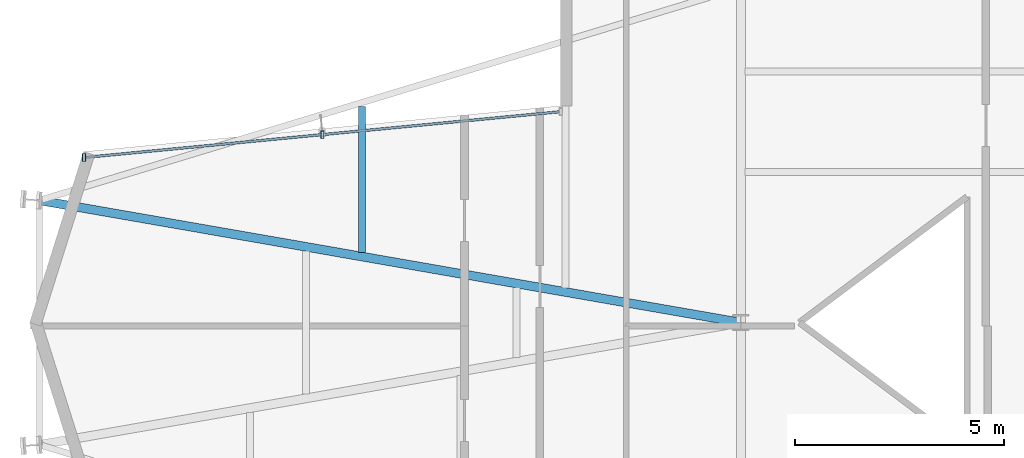
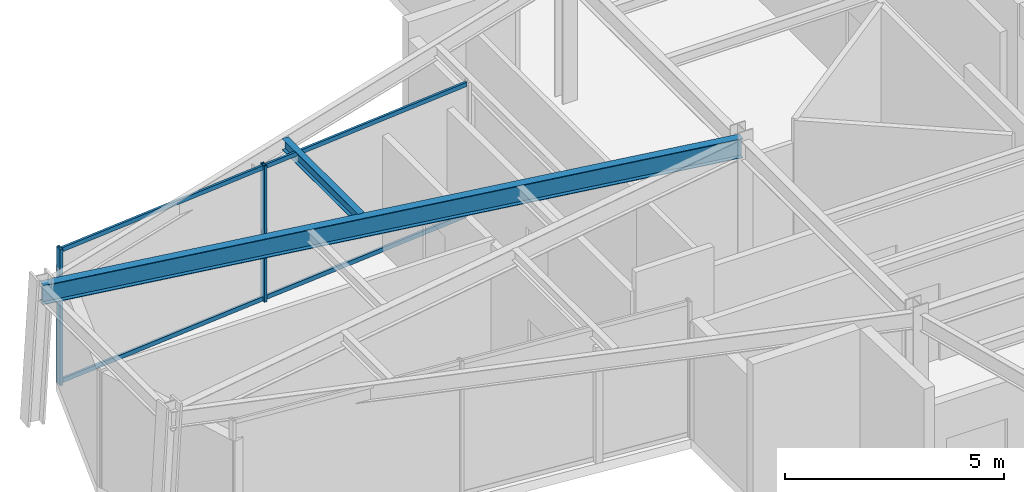
# One storey, part 6 of 21: 4 members, 2 beams, 1 element without a shape of its own.
"""IFC4 building model written with IfcOpenShell, lengths in metres."""

from ifc_helpers import new_model, si_unit, direction, frame, origin, origin_2d, place, context, subcontext, project, spatial, hollow_rectangle, i_section, extrude, material, layer, layer_set, material_profile, profile_set, type_object, element, aggregate, save


model = new_model("IFC4")

# Units and contexts
model_context = context("Model", 3, precision=1e-05, world=origin(), true_north=direction((0.0, 1.0)))
body_context = subcontext(model_context, "Body", "Model", "MODEL_VIEW")
ifc_project = project(units=[si_unit("LENGTHUNIT", "METRE"), si_unit("AREAUNIT", "SQUARE_METRE"), si_unit("VOLUMEUNIT", "CUBIC_METRE"), si_unit("PLANEANGLEUNIT", "RADIAN"), si_unit("MASSUNIT", "GRAM", prefix="KILO")], contexts=[model_context])

# Site, building, storey
site_placement = place(None, origin())
site = spatial("IfcSite", under=ifc_project, at=site_placement, CompositionType="ELEMENT")
building_placement = place(site_placement, origin())
building = spatial("IfcBuilding", under=site, at=building_placement, Name="Veymaron Broadcast Tower", CompositionType="ELEMENT")
storey_placement = place(building_placement, frame((0.0, 0.0, 240.449951171875)))
storey = spatial("IfcBuildingStorey", under=building, at=storey_placement, Name="L56", CompositionType="ELEMENT", Elevation=240.449951171875)

# Beams
ifc_material_1 = material(Name="Structural steel ASTM A992 Gr 50", Category="steel")
ifc_material_profile_1 = material_profile(ifc_material_1, i_section(OverallWidth=0.2099609375, OverallDepth=0.537109375, WebThickness=0.010986328125, FlangeThickness=0.017333984375, at=origin_2d()), Name="W530X101")
ifc_profile_set_1 = profile_set([ifc_material_profile_1], Name="Structural steel ASTM A992 Gr 50")
beam_type_1 = type_object("IfcBeamType", Name="BM-FG3", PredefinedType="BEAM", material=ifc_profile_set_1)
beam_1_placement = place(storey_placement, frame((14.45166015625, 26.91796875, 3.521484375), z_axis=(0.985159853001, -0.171639342911, 0.0), x_axis=(0.171639342911, 0.985159853001, 0.0)))
element("IfcBeam", 1, at=beam_1_placement, inside=storey, type_object=beam_type_1, Name="L56 primary structural floor girder", PredefinedType="BEAM", context=body_context, shape_type="SweptSolid", body=[
    extrude(i_section(OverallWidth=0.2099609375, OverallDepth=0.537109375, WebThickness=0.010986328125, FlangeThickness=0.017333984375, at=origin_2d()), origin(), (0.0, 0.0, 1.0), 17.00048828125),
])
ifc_material_profile_2 = material_profile(ifc_material_1, i_section(OverallWidth=0.1650390625, OverallDepth=0.31005859375, WebThickness=0.005859375, FlangeThickness=0.009765625, at=origin_2d()), Name="W310X39")
ifc_profile_set_2 = profile_set([ifc_material_profile_2], Name="Structural steel ASTM A992 Gr 50")
beam_type_2 = type_object("IfcBeamType", Name="BM-JS3", PredefinedType="JOIST", material=ifc_profile_set_2)
beam_2_placement = place(storey_placement, frame((22.156005859375, 25.67578125, 3.635009765625), z_axis=(0.0, 1.0, 0.0), x_axis=(-1.0, 0.0, 0.0)))
element("IfcBeam", 2, at=beam_2_placement, inside=storey, type_object=beam_type_2, Name="L56 Arm-A secondary joist 1N", PredefinedType="JOIST", context=body_context, shape_type="SweptSolid", body=[
    extrude(i_section(OverallWidth=0.1650390625, OverallDepth=0.31005859375, WebThickness=0.005859375, FlangeThickness=0.009765625, at=origin_2d()), origin(), (0.0, 0.0, 1.0), 3.47998046875),
])

# Curtain wall, members
ifc_material_2 = material(Name="Anodised aluminium AA 6063-T6 and laminated low-E dark glass", Category="aluminium")
ifc_layer = layer(ifc_material_2, 0.179931640625)
ifc_layer_set = layer_set([ifc_layer], Name="Anodised aluminium AA 6063-T6 and laminated low-E dark glass")
curtain_wall_type = type_object("IfcCurtainWallType", Name="CW-SYS-05", PredefinedType="NOTDEFINED", material=ifc_layer_set)
curtain_wall_placement = place(storey_placement, origin())
curtain_wall = element("IfcCurtainWall", 3, at=curtain_wall_placement, inside=storey, type_object=curtain_wall_type, Name="L56 dark-glass curtain wall CW-L56-E13-1", PredefinedType="NOTDEFINED")
ifc_material_3 = material(Name="Anodised aluminium AA 6063-T6", Category="aluminium")
ifc_material_profile_3 = material_profile(ifc_material_3, hollow_rectangle(XDim=0.074951171875, YDim=0.179931640625, WallThickness=0.0048828125, at=origin_2d()), Name="AL180X75X5")
ifc_profile_set_3 = profile_set([ifc_material_profile_3], Name="Anodised aluminium AA 6063-T6")
member_type_1 = type_object("IfcMemberType", Name="CW-MUL-02", PredefinedType="MULLION", material=ifc_profile_set_3)
member_1_placement = place(storey_placement, frame((21.20751953125, 28.489013671875, 0.0), z_axis=(0.0, 0.0, 1.0), x_axis=(1.0, 0.0, 0.0)))
member_1 = element("IfcMember", 4, at=member_1_placement, type_object=member_type_1, Name="CW-L56-E13-1 mullion 1", PredefinedType="MULLION", context=body_context, shape_type="SweptSolid", body=[
    extrude(hollow_rectangle(XDim=0.074951171875, YDim=0.179931640625, WallThickness=0.0048828125, at=origin_2d()), origin(), (0.0, 0.0, 1.0), 3.7900390625),
])
member_2_placement = place(storey_placement, frame((15.513427734375, 27.94091796875, 0.0), z_axis=(0.0, 0.0, 1.0), x_axis=(1.0, 0.0, 0.0)))
member_2 = element("IfcMember", 5, at=member_2_placement, type_object=member_type_1, Name="CW-L56-E13-1 mullion 2", PredefinedType="MULLION", context=body_context, shape_type="SweptSolid", body=[
    extrude(hollow_rectangle(XDim=0.074951171875, YDim=0.179931640625, WallThickness=0.0048828125, at=origin_2d()), origin(), (0.0, 0.0, 1.0), 3.7900390625),
])
ifc_material_profile_4 = material_profile(ifc_material_3, hollow_rectangle(XDim=0.06005859375, YDim=0.1201171875, WallThickness=0.00390625, at=origin_2d()), Name="AL120X60X4")
ifc_profile_set_4 = profile_set([ifc_material_profile_4], Name="Anodised aluminium AA 6063-T6")
member_type_2 = type_object("IfcMemberType", Name="CW-TRN-02", PredefinedType="USERDEFINED", material=ifc_profile_set_4)
member_3_placement = place(storey_placement, frame((26.8515625, 29.0322265625, 0.070068359375), z_axis=(-0.995400544855, -0.095800601782, 0.0), x_axis=(0.095800601782, -0.995400544855, 0.0)))
member_3 = element("IfcMember", 6, at=member_3_placement, type_object=member_type_2, Name="CW-L56-E13-1 transom B", ObjectType="TRANSOM", PredefinedType="USERDEFINED", context=body_context, shape_type="SweptSolid", body=[
    extrude(hollow_rectangle(XDim=0.06005859375, YDim=0.1201171875, WallThickness=0.00390625, at=origin_2d()), origin(), (0.0, 0.0, 1.0), 11.340576171875),
])
member_4_placement = place(storey_placement, frame((26.8515625, 29.0322265625, 3.719970703125), z_axis=(-0.995400544855, -0.095800601782, 0.0), x_axis=(0.095800601782, -0.995400544855, 0.0)))
member_4 = element("IfcMember", 7, at=member_4_placement, type_object=member_type_2, Name="CW-L56-E13-1 transom T", ObjectType="TRANSOM", PredefinedType="USERDEFINED", context=body_context, shape_type="SweptSolid", body=[
    extrude(hollow_rectangle(XDim=0.06005859375, YDim=0.1201171875, WallThickness=0.00390625, at=origin_2d()), origin(), (0.0, 0.0, 1.0), 11.340576171875),
])
aggregate(curtain_wall, [member_1, member_2, member_3, member_4])

save(model, "model.ifc")
